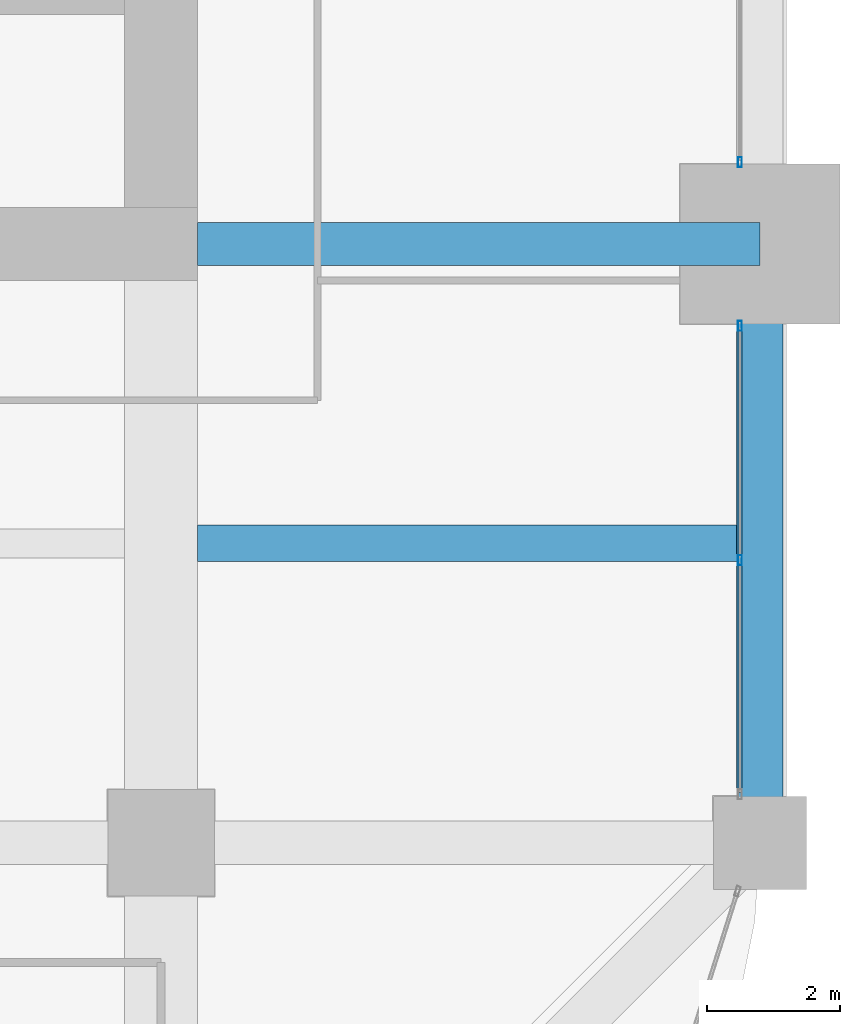
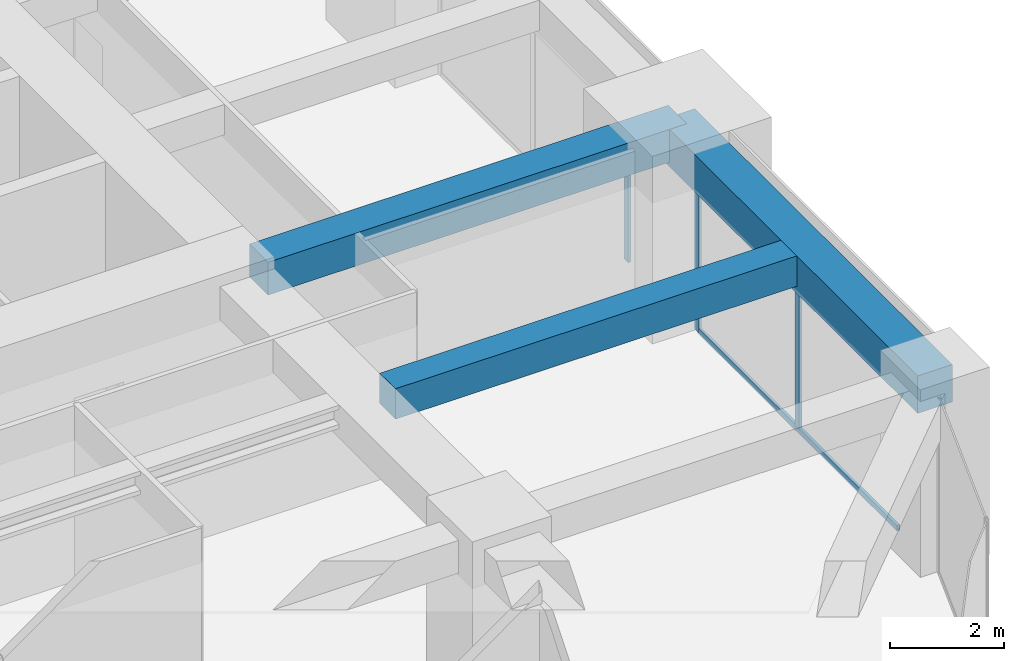
# One storey, part 17 of 34: 4 members, 3 beams, 2 elements without a shape of their own.
"""IFC4 building model written with IfcOpenShell, lengths in metres."""

from ifc_helpers import new_model, si_unit, direction, frame, origin, origin_2d, place, context, subcontext, project, spatial, rectangle, hollow_rectangle, extrude, material, material_profile, profile_set, type_object, element, aggregate, save


model = new_model("IFC4")

# Units and contexts
model_context = context("Model", 3, precision=1e-05, world=origin(), true_north=direction((0.0, 1.0)))
body_context = subcontext(model_context, "Body", "Model", "MODEL_VIEW")
ifc_project = project(units=[si_unit("LENGTHUNIT", "METRE"), si_unit("AREAUNIT", "SQUARE_METRE"), si_unit("VOLUMEUNIT", "CUBIC_METRE"), si_unit("PLANEANGLEUNIT", "RADIAN"), si_unit("MASSUNIT", "GRAM", prefix="KILO")], contexts=[model_context])

# Site, building, storey
site_placement = place(None, origin())
site = spatial("IfcSite", under=ifc_project, at=site_placement, CompositionType="ELEMENT")
building_placement = place(site_placement, origin())
building = spatial("IfcBuilding", under=site, at=building_placement, Name="Zorevar Civic Tower", CompositionType="ELEMENT")
storey_placement = place(building_placement, frame((0.0, 0.0, 170.199951171875)))
storey = spatial("IfcBuildingStorey", under=building, at=storey_placement, Name="L41", CompositionType="ELEMENT", Elevation=170.199951171875)

# Beams
ifc_material_1 = material(Name="Concrete C50/60", Category="concrete")
ifc_material_profile_1 = material_profile(ifc_material_1, rectangle(XDim=0.550048828125, YDim=0.64990234375, at=origin_2d()), Name="RC 550x650")
ifc_profile_set_1 = profile_set([ifc_material_profile_1], Name="Concrete C50/60")
beam_type_1 = type_object("IfcBeamType", Name="Beam RC 550x650", PredefinedType="BEAM", material=ifc_profile_set_1)
beam_1_placement = place(storey_placement, frame((45.550048828125, 13.5, 3.425048828125), z_axis=(1.0, 0.0, 0.0), x_axis=(0.0, 1.0, 0.0)))
element("IfcBeam", 1, at=beam_1_placement, inside=storey, type_object=beam_type_1, Name="Secondary beam L42", PredefinedType="BEAM", context=body_context, shape_type="SweptSolid", body=[
    extrude(rectangle(XDim=0.550048828125, YDim=0.64990234375, at=origin_2d()), origin(), (0.0, 0.0, 1.0), 8.099853515625),
])
ifc_material_2 = material(Name="Concrete C50/60", Category="concrete")
ifc_material_profile_2 = material_profile(ifc_material_2, rectangle(XDim=0.64990234375, YDim=0.699951171875, at=origin_2d()), Name="RC 650x700")
ifc_profile_set_2 = profile_set([ifc_material_profile_2], Name="Concrete C50/60")
beam_type_2 = type_object("IfcBeamType", Name="Beam RC 650x700", PredefinedType="BEAM", material=ifc_profile_set_2)
beam_2_placement = place(storey_placement, frame((45.550048828125, 18.0, 3.400146484375), z_axis=(1.0, 0.0, 0.0), x_axis=(0.0, 1.0, 0.0)))
element("IfcBeam", 2, at=beam_2_placement, inside=storey, type_object=beam_type_2, Name="Girder L42", PredefinedType="BEAM", context=body_context, shape_type="SweptSolid", body=[
    extrude(rectangle(XDim=0.64990234375, YDim=0.699951171875, at=origin_2d()), origin(), (0.0, 0.0, 1.0), 8.449951171875),
])

# Curtain wall, members
ifc_material_3 = material(Name="Dark grey solar-control glass in black aluminium frame", Category="aluminium")
curtain_wall_type = type_object("IfcCurtainWallType", Name="Curtain wall CW4 high zone", PredefinedType="NOTDEFINED", material=ifc_material_3)
curtain_wall_1_placement = place(storey_placement, origin())
curtain_wall_1 = element("IfcCurtainWall", 3, at=curtain_wall_1_placement, inside=storey, type_object=curtain_wall_type, Name="CW4 L41", PredefinedType="NOTDEFINED")
ifc_material_4 = material(Name="Aluminium, black anodised", Category="aluminium")
ifc_material_profile_3 = material_profile(ifc_material_4, hollow_rectangle(XDim=0.06005859375, YDim=0.14990234375, WallThickness=0.00390625, at=origin_2d()), Name="AL 150x60x4")
ifc_profile_set_3 = profile_set([ifc_material_profile_3], Name="Aluminium, black anodised")
member_type_1 = type_object("IfcMemberType", Name="CW4 mullion AL 150x60x4", PredefinedType="MULLION", material=ifc_profile_set_3)
member_1_placement = place(storey_placement, frame((53.699951171875, 13.25, 0.06005859375), z_axis=(0.0, 0.0, 1.0), x_axis=(-1.0, 0.0, 0.0)))
member_1 = element("IfcMember", 4, at=member_1_placement, type_object=member_type_1, Name="CW4 mullion 2", PredefinedType="MULLION", context=body_context, shape_type="SweptSolid", body=[
    extrude(hollow_rectangle(XDim=0.06005859375, YDim=0.14990234375, WallThickness=0.00390625, at=origin_2d()), origin(), (0.0, 0.0, 1.0), 2.889892578125),
])
member_2_placement = place(storey_placement, frame((53.699951171875, 16.77001953125, 0.0), z_axis=(0.0, 0.0, 1.0), x_axis=(-1.0, 0.0, 0.0)))
member_2 = element("IfcMember", 5, at=member_2_placement, type_object=member_type_1, Name="CW4 mullion 3", PredefinedType="MULLION", context=body_context, shape_type="SweptSolid", body=[
    extrude(hollow_rectangle(XDim=0.06005859375, YDim=0.14990234375, WallThickness=0.00390625, at=origin_2d()), origin(), (0.0, 0.0, 1.0), 2.949951171875),
])

# Curtain wall, member
curtain_wall_2_placement = place(storey_placement, origin())
curtain_wall_2 = element("IfcCurtainWall", 6, at=curtain_wall_2_placement, inside=storey, type_object=curtain_wall_type, Name="CW4 L41", PredefinedType="NOTDEFINED")
member_3_placement = place(storey_placement, frame((53.699951171875, 19.22998046875, 0.0), z_axis=(0.0, 0.0, 1.0), x_axis=(-1.0, 0.0, 0.0)))
member_3 = element("IfcMember", 7, at=member_3_placement, type_object=member_type_1, Name="CW4 mullion 1", PredefinedType="MULLION", context=body_context, shape_type="SweptSolid", body=[
    extrude(hollow_rectangle(XDim=0.06005859375, YDim=0.14990234375, WallThickness=0.00390625, at=origin_2d()), origin(), (0.0, 0.0, 1.0), 2.949951171875),
])
aggregate(curtain_wall_2, [member_3])

# Member
ifc_material_5 = material(Name="Aluminium, black anodised", Category="aluminium")
ifc_material_profile_4 = material_profile(ifc_material_5, hollow_rectangle(XDim=0.06005859375, YDim=0.1201171875, WallThickness=0.0029296875, at=origin_2d()), Name="AL 120x60x3")
ifc_profile_set_4 = profile_set([ifc_material_profile_4], Name="Aluminium, black anodised")
member_type_2 = type_object("IfcMemberType", Name="CW4 transom AL 120x60x3", PredefinedType="USERDEFINED", material=ifc_profile_set_4)
member_4_placement = place(storey_placement, frame((53.699951171875, 9.760009765625, 0.030029296875), z_axis=(0.0, 1.0, 0.0), x_axis=(-1.0, 0.0, 0.0)))
member_4 = element("IfcMember", 8, at=member_4_placement, type_object=member_type_2, Name="CW4 sill transom", ObjectType="TRANSOM", PredefinedType="USERDEFINED", context=body_context, shape_type="SweptSolid", body=[
    extrude(hollow_rectangle(XDim=0.06005859375, YDim=0.1201171875, WallThickness=0.0029296875, at=origin_2d()), origin(), (0.0, 0.0, 1.0), 6.97998046875),
])

aggregate(curtain_wall_1, [member_1, member_2, member_4])

# Beam
ifc_material_6 = material(Name="Concrete C50/60", Category="concrete")
ifc_material_profile_5 = material_profile(ifc_material_6, rectangle(XDim=0.699951171875, YDim=0.800048828125, at=origin_2d()), Name="RC 700x800")
ifc_profile_set_5 = profile_set([ifc_material_profile_5], Name="Concrete C50/60")
beam_type_3 = type_object("IfcBeamType", Name="Edge beam RC 700x800", PredefinedType="SPANDREL", material=ifc_profile_set_5)
beam_3_placement = place(storey_placement, frame((54.0, 9.0, 3.35009765625), z_axis=(0.0, 1.0, 0.0), x_axis=(-1.0, 0.0, 0.0)))
element("IfcBeam", 9, at=beam_3_placement, inside=storey, type_object=beam_type_3, Name="Edge beam L42", PredefinedType="SPANDREL", context=body_context, shape_type="SweptSolid", body=[
    extrude(rectangle(XDim=0.699951171875, YDim=0.800048828125, at=origin_2d()), origin(), (0.0, 0.0, 1.0), 9.0),
])

save(model, "model.ifc")
